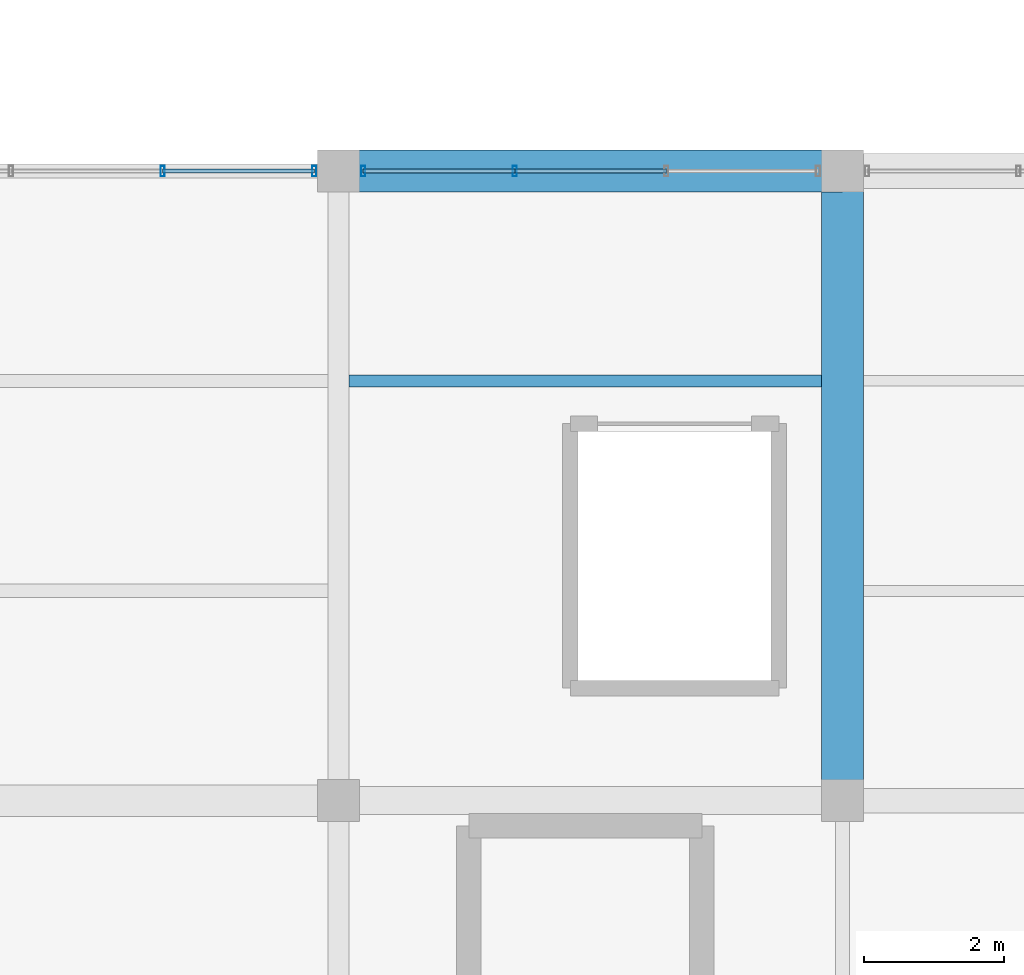
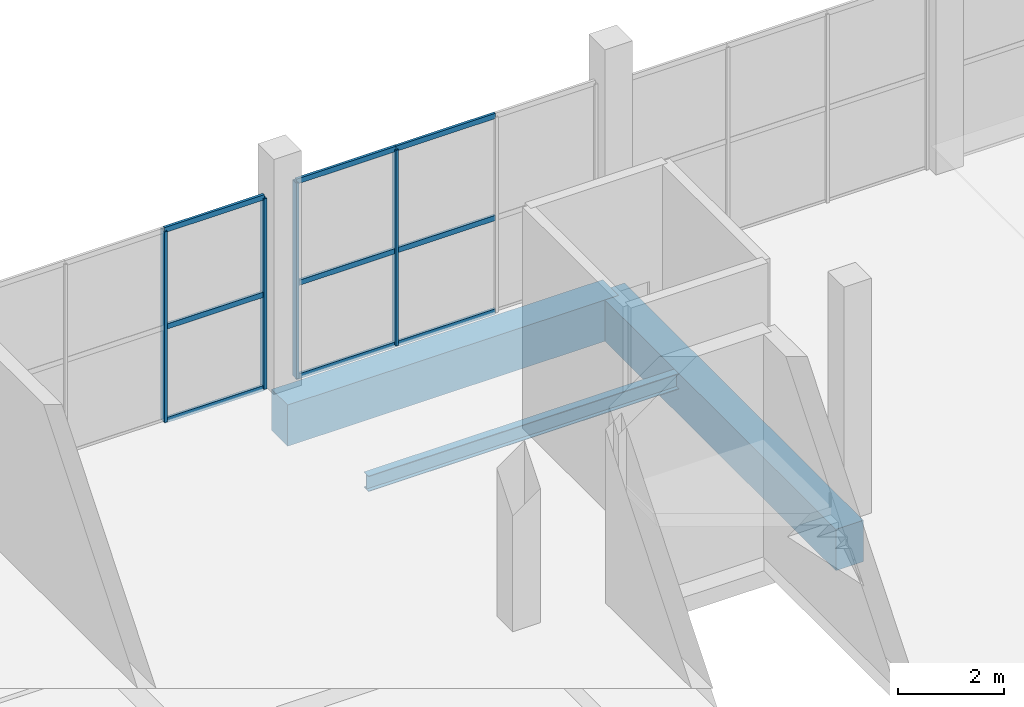
# One storey, part 88 of 141: 13 members, 3 beams, 2 elements without a shape of their own.
"""IFC4 building model written with IfcOpenShell, lengths in metres."""

from ifc_helpers import new_model, si_unit, direction, frame, origin, origin_2d, place, context, subcontext, project, spatial, rectangle, hollow_rectangle, i_section, extrude, material, layer, layer_set, material_profile, profile_set, type_object, element, aggregate, save


model = new_model("IFC4")

# Units and contexts
model_context = context("Model", 3, precision=1e-05, world=origin(), true_north=direction((0.0, 1.0)))
body_context = subcontext(model_context, "Body", "Model", "MODEL_VIEW")
ifc_project = project(units=[si_unit("LENGTHUNIT", "METRE"), si_unit("AREAUNIT", "SQUARE_METRE"), si_unit("VOLUMEUNIT", "CUBIC_METRE"), si_unit("PLANEANGLEUNIT", "RADIAN"), si_unit("MASSUNIT", "GRAM", prefix="KILO")], contexts=[model_context])

# Site, building, storey
site_placement = place(None, origin())
site = spatial("IfcSite", under=ifc_project, at=site_placement, CompositionType="ELEMENT")
building_placement = place(site_placement, origin())
building = spatial("IfcBuilding", under=site, at=building_placement, Name="Sundgate Opera House", CompositionType="ELEMENT")
storey_placement = place(building_placement, frame((0.0, 0.0, 11.39990234375)))
storey = spatial("IfcBuildingStorey", under=building, at=storey_placement, Name="L02", CompositionType="ELEMENT", Elevation=11.39990234375)

# Beams
ifc_material_1 = material(Name="Steel S355J2", Category="steel")
ifc_material_profile_1 = material_profile(ifc_material_1, i_section(OverallWidth=0.169921875, OverallDepth=0.360107421875, WebThickness=0.008056640625, FlangeThickness=0.0126953125, at=origin_2d()), Name="IPE 360")
ifc_profile_set_1 = profile_set([ifc_material_profile_1], Name="Steel S355J2")
beam_type_1 = type_object("IfcBeamType", Name="BM-JS-IPE360", PredefinedType="JOIST", material=ifc_profile_set_1)
beam_1_placement = place(storey_placement, frame((131.550048828125, 84.0, -0.52978515625), z_axis=(1.0, 0.0, 0.0), x_axis=(0.0, 1.0, 0.0)))
element("IfcBeam", 1, at=beam_1_placement, inside=storey, type_object=beam_type_1, Name="L02 Secondary Floor Joist B2327", PredefinedType="JOIST", context=body_context, shape_type="SweptSolid", body=[
    extrude(i_section(OverallWidth=0.169921875, OverallDepth=0.360107421875, WebThickness=0.008056640625, FlangeThickness=0.0126953125, at=origin_2d()), origin(), (0.0, 0.0, 1.0), 6.75),
])
ifc_material_2 = material(Name="Concrete C40/50", Category="concrete")
ifc_material_profile_2 = material_profile(ifc_material_2, rectangle(XDim=0.60009765625, YDim=0.949951171875, at=origin_2d()), Name="RC 600x950")
ifc_profile_set_2 = profile_set([ifc_material_profile_2], Name="Concrete C40/50")
beam_type_2 = type_object("IfcBeamType", Name="BM-RC-600x950", PredefinedType="BEAM", material=ifc_profile_set_2)
beam_2_placement = place(storey_placement, frame((138.60009765625, 78.0, -0.824951171875), z_axis=(0.0, 1.0, 0.0), x_axis=(-1.0, 0.0, 0.0)))
element("IfcBeam", 2, at=beam_2_placement, inside=storey, type_object=beam_type_2, Name="L02 Primary N-S Girder B1918", PredefinedType="BEAM", context=body_context, shape_type="SweptSolid", body=[
    extrude(rectangle(XDim=0.60009765625, YDim=0.949951171875, at=origin_2d()), origin(), (0.0, 0.0, 1.0), 9.0),
])
beam_3_placement = place(storey_placement, frame((131.39990234375, 87.0, -0.824951171875), z_axis=(1.0, 0.0, 0.0), x_axis=(0.0, 1.0, 0.0)))
element("IfcBeam", 3, at=beam_3_placement, inside=storey, type_object=beam_type_2, Name="L02 Primary E-W Girder B2064", PredefinedType="BEAM", context=body_context, shape_type="SweptSolid", body=[
    extrude(rectangle(XDim=0.60009765625, YDim=0.949951171875, at=origin_2d()), origin(), (0.0, 0.0, 1.0), 7.2001953125),
])

# Curtain wall, members
ifc_material_3 = material(Name="Anodized aluminium and low-iron glass", Category="aluminium")
ifc_layer = layer(ifc_material_3, 0.159912109375)
ifc_layer_set = layer_set([ifc_layer], Name="Anodized aluminium and low-iron glass")
curtain_wall_type = type_object("IfcCurtainWallType", Name="CW-STUDIO-DARK", PredefinedType="NOTDEFINED", material=ifc_layer_set)
curtain_wall_1_placement = place(storey_placement, origin())
curtain_wall_1 = element("IfcCurtainWall", 4, at=curtain_wall_1_placement, inside=storey, type_object=curtain_wall_type, Name="L02 Curtain Wall CW108", PredefinedType="NOTDEFINED")
ifc_material_4 = material(Name="Anodized aluminium EN AW-6063", Category="aluminium")
ifc_material_profile_3 = material_profile(ifc_material_4, hollow_rectangle(XDim=0.06005859375, YDim=0.14990234375, WallThickness=0.00390625, at=origin_2d()), Name="CWM 150x60x4")
ifc_profile_set_3 = profile_set([ifc_material_profile_3], Name="Anodized aluminium EN AW-6063")
member_type_1 = type_object("IfcMemberType", Name="CWM-ALU-150x60", PredefinedType="MULLION", material=ifc_profile_set_3)
member_1_placement = place(storey_placement, frame((128.88330078125, 87.0, 0.0), z_axis=(0.0, 0.0, 1.0), x_axis=(1.0, 0.0, 0.0)))
member_1 = element("IfcMember", 5, at=member_1_placement, type_object=member_type_1, Name="CW108 Mullion 3", PredefinedType="MULLION", context=body_context, shape_type="SweptSolid", body=[
    extrude(hollow_rectangle(XDim=0.06005859375, YDim=0.14990234375, WallThickness=0.00390625, at=origin_2d()), origin(), (0.0, 0.0, 1.0), 4.385009765625),
])
member_2_placement = place(storey_placement, frame((131.050048828125, 87.0, 0.0), z_axis=(0.0, 0.0, 1.0), x_axis=(1.0, 0.0, 0.0)))
member_2 = element("IfcMember", 6, at=member_2_placement, type_object=member_type_1, Name="CW108 Mullion 4", PredefinedType="MULLION", context=body_context, shape_type="SweptSolid", body=[
    extrude(hollow_rectangle(XDim=0.06005859375, YDim=0.14990234375, WallThickness=0.00390625, at=origin_2d()), origin(), (0.0, 0.0, 1.0), 4.385009765625),
])

curtain_wall_2_placement = place(storey_placement, origin())
curtain_wall_2 = element("IfcCurtainWall", 7, at=curtain_wall_2_placement, inside=storey, type_object=curtain_wall_type, Name="L02 Curtain Wall CW110", PredefinedType="NOTDEFINED")
member_3_placement = place(storey_placement, frame((131.75, 87.0, 0.0), z_axis=(0.0, 0.0, 1.0), x_axis=(1.0, 0.0, 0.0)))
member_3 = element("IfcMember", 8, at=member_3_placement, type_object=member_type_1, Name="CW110 Mullion 1", PredefinedType="MULLION", context=body_context, shape_type="SweptSolid", body=[
    extrude(hollow_rectangle(XDim=0.06005859375, YDim=0.14990234375, WallThickness=0.00390625, at=origin_2d()), origin(), (0.0, 0.0, 1.0), 4.4951171875),
])
member_4_placement = place(storey_placement, frame((133.916748046875, 87.0, 0.0), z_axis=(0.0, 0.0, 1.0), x_axis=(1.0, 0.0, 0.0)))
member_4 = element("IfcMember", 9, at=member_4_placement, type_object=member_type_1, Name="CW110 Mullion 2", PredefinedType="MULLION", context=body_context, shape_type="SweptSolid", body=[
    extrude(hollow_rectangle(XDim=0.06005859375, YDim=0.14990234375, WallThickness=0.00390625, at=origin_2d()), origin(), (0.0, 0.0, 1.0), 4.4951171875),
])

# Member
ifc_material_5 = material(Name="Anodized aluminium EN AW-6063", Category="aluminium")
ifc_material_profile_4 = material_profile(ifc_material_5, hollow_rectangle(XDim=0.054931640625, YDim=0.1201171875, WallThickness=0.00390625, at=origin_2d()), Name="CWT 120x55x4")
ifc_profile_set_4 = profile_set([ifc_material_profile_4], Name="Anodized aluminium EN AW-6063")
member_type_2 = type_object("IfcMemberType", Name="CWT-ALU-120x55", PredefinedType="USERDEFINED", material=ifc_profile_set_4)
member_5_placement = place(storey_placement, frame((128.88330078125, 87.0, 0.0), z_axis=(1.0, 0.0, 0.0), x_axis=(0.0, 1.0, 0.0)))
member_5 = element("IfcMember", 10, at=member_5_placement, type_object=member_type_2, Name="CW108 Transom 7", ObjectType="TRANSOM", PredefinedType="USERDEFINED", context=body_context, shape_type="SweptSolid", body=[
    extrude(hollow_rectangle(XDim=0.054931640625, YDim=0.1201171875, WallThickness=0.00390625, at=origin_2d()), origin(), (0.0, 0.0, 1.0), 2.166748046875),
])

member_6_placement = place(storey_placement, frame((128.88330078125, 87.0, 2.150146484375), z_axis=(1.0, 0.0, 0.0), x_axis=(0.0, 1.0, 0.0)))
member_6 = element("IfcMember", 11, at=member_6_placement, type_object=member_type_2, Name="CW108 Transom 8", ObjectType="TRANSOM", PredefinedType="USERDEFINED", context=body_context, shape_type="SweptSolid", body=[
    extrude(hollow_rectangle(XDim=0.054931640625, YDim=0.1201171875, WallThickness=0.00390625, at=origin_2d()), origin(), (0.0, 0.0, 1.0), 2.166748046875),
])

member_7_placement = place(storey_placement, frame((128.88330078125, 87.0, 4.385009765625), z_axis=(1.0, 0.0, 0.0), x_axis=(0.0, 1.0, 0.0)))
member_7 = element("IfcMember", 12, at=member_7_placement, type_object=member_type_2, Name="CW108 Transom 9", ObjectType="TRANSOM", PredefinedType="USERDEFINED", context=body_context, shape_type="SweptSolid", body=[
    extrude(hollow_rectangle(XDim=0.054931640625, YDim=0.1201171875, WallThickness=0.00390625, at=origin_2d()), origin(), (0.0, 0.0, 1.0), 2.166748046875),
])

aggregate(curtain_wall_1, [member_1, member_2, member_5, member_6, member_7])

member_8_placement = place(storey_placement, frame((131.75, 87.0, 0.0), z_axis=(1.0, 0.0, 0.0), x_axis=(0.0, 1.0, 0.0)))
member_8 = element("IfcMember", 13, at=member_8_placement, type_object=member_type_2, Name="CW110 Transom 1", ObjectType="TRANSOM", PredefinedType="USERDEFINED", context=body_context, shape_type="SweptSolid", body=[
    extrude(hollow_rectangle(XDim=0.054931640625, YDim=0.1201171875, WallThickness=0.00390625, at=origin_2d()), origin(), (0.0, 0.0, 1.0), 2.166748046875),
])

member_9_placement = place(storey_placement, frame((131.75, 87.0, 2.150146484375), z_axis=(1.0, 0.0, 0.0), x_axis=(0.0, 1.0, 0.0)))
member_9 = element("IfcMember", 14, at=member_9_placement, type_object=member_type_2, Name="CW110 Transom 2", ObjectType="TRANSOM", PredefinedType="USERDEFINED", context=body_context, shape_type="SweptSolid", body=[
    extrude(hollow_rectangle(XDim=0.054931640625, YDim=0.1201171875, WallThickness=0.00390625, at=origin_2d()), origin(), (0.0, 0.0, 1.0), 2.166748046875),
])

member_10_placement = place(storey_placement, frame((131.75, 87.0, 4.4951171875), z_axis=(1.0, 0.0, 0.0), x_axis=(0.0, 1.0, 0.0)))
member_10 = element("IfcMember", 15, at=member_10_placement, type_object=member_type_2, Name="CW110 Transom 3", ObjectType="TRANSOM", PredefinedType="USERDEFINED", context=body_context, shape_type="SweptSolid", body=[
    extrude(hollow_rectangle(XDim=0.054931640625, YDim=0.1201171875, WallThickness=0.00390625, at=origin_2d()), origin(), (0.0, 0.0, 1.0), 2.166748046875),
])

member_11_placement = place(storey_placement, frame((133.916748046875, 87.0, 0.0), z_axis=(1.0, 0.0, 0.0), x_axis=(0.0, 1.0, 0.0)))
member_11 = element("IfcMember", 16, at=member_11_placement, type_object=member_type_2, Name="CW110 Transom 4", ObjectType="TRANSOM", PredefinedType="USERDEFINED", context=body_context, shape_type="SweptSolid", body=[
    extrude(hollow_rectangle(XDim=0.054931640625, YDim=0.1201171875, WallThickness=0.00390625, at=origin_2d()), origin(), (0.0, 0.0, 1.0), 2.16650390625),
])

member_12_placement = place(storey_placement, frame((133.916748046875, 87.0, 2.150146484375), z_axis=(1.0, 0.0, 0.0), x_axis=(0.0, 1.0, 0.0)))
member_12 = element("IfcMember", 17, at=member_12_placement, type_object=member_type_2, Name="CW110 Transom 5", ObjectType="TRANSOM", PredefinedType="USERDEFINED", context=body_context, shape_type="SweptSolid", body=[
    extrude(hollow_rectangle(XDim=0.054931640625, YDim=0.1201171875, WallThickness=0.00390625, at=origin_2d()), origin(), (0.0, 0.0, 1.0), 2.16650390625),
])

member_13_placement = place(storey_placement, frame((133.916748046875, 87.0, 4.4951171875), z_axis=(1.0, 0.0, 0.0), x_axis=(0.0, 1.0, 0.0)))
member_13 = element("IfcMember", 18, at=member_13_placement, type_object=member_type_2, Name="CW110 Transom 6", ObjectType="TRANSOM", PredefinedType="USERDEFINED", context=body_context, shape_type="SweptSolid", body=[
    extrude(hollow_rectangle(XDim=0.054931640625, YDim=0.1201171875, WallThickness=0.00390625, at=origin_2d()), origin(), (0.0, 0.0, 1.0), 2.16650390625),
])

aggregate(curtain_wall_2, [member_3, member_4, member_8, member_9, member_10, member_11, member_12, member_13])

save(model, "model.ifc")
